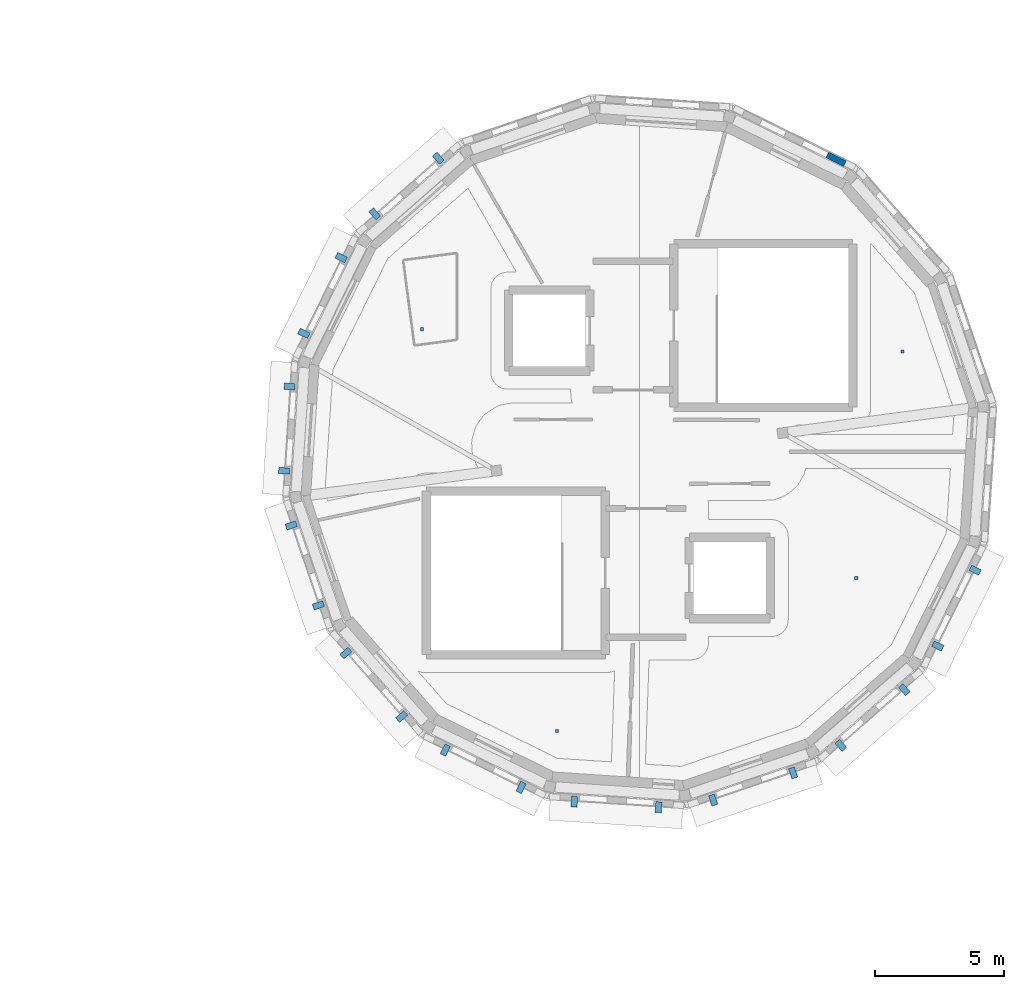
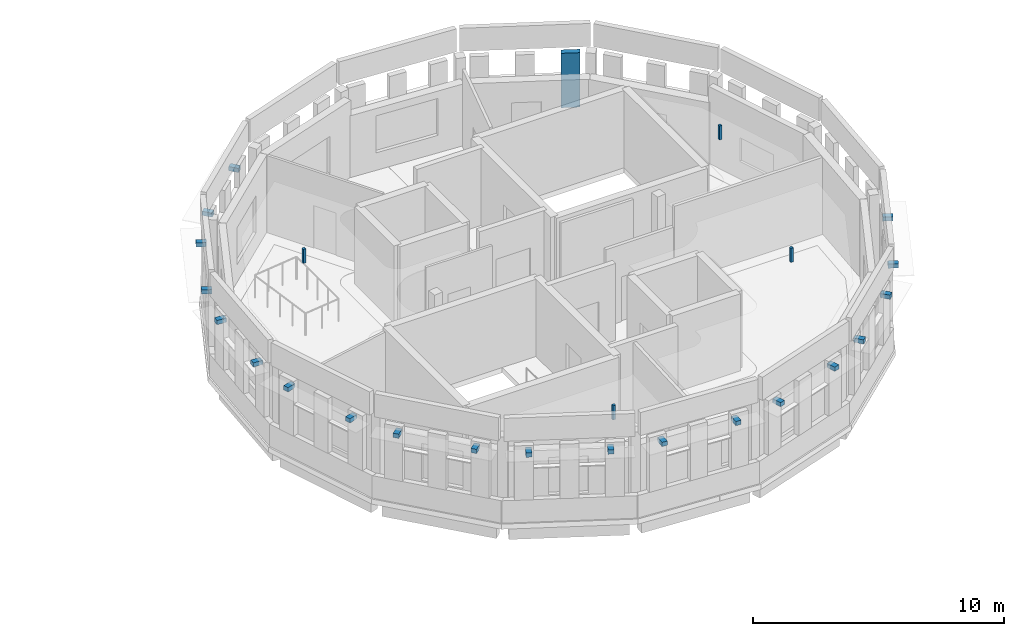
# One storey, part 16 of 18: 24 discrete accessories, 1 wall.
"""IFC4 building model written with IfcOpenShell, lengths in metres."""

from ifc_helpers import new_model, si_unit, direction, frame, frame_2d, origin, origin_2d, place, context, subcontext, project, spatial, rectangle, extrude, material, layer, layer_set, type_object, element, save


model = new_model("IFC4")

# Units and contexts
model_context = context("Model", 3, precision=1e-05, world=origin(), true_north=direction((0.0, 1.0)))
body_context = subcontext(model_context, "Body", "Model", "MODEL_VIEW")
ifc_project = project(units=[si_unit("LENGTHUNIT", "METRE"), si_unit("AREAUNIT", "SQUARE_METRE"), si_unit("VOLUMEUNIT", "CUBIC_METRE"), si_unit("PLANEANGLEUNIT", "RADIAN"), si_unit("MASSUNIT", "GRAM", prefix="KILO")], contexts=[model_context])

# Site, building, storey
site_placement = place(None, origin())
site = spatial("IfcSite", under=ifc_project, at=site_placement, CompositionType="ELEMENT")
building_placement = place(site_placement, origin())
building = spatial("IfcBuilding", under=site, at=building_placement, Name="Wrenclough Park School", CompositionType="ELEMENT")
storey_placement = place(building_placement, frame((0.0, 0.0, 20.800048828125)))
storey = spatial("IfcBuildingStorey", under=building, at=storey_placement, Name="L05", CompositionType="ELEMENT", Elevation=20.800048828125)

# Wall
ifc_material_1 = material(Name="Perforated open-bond Staffordshire and Manchester brick screen pier", Category="masonry")
ifc_layer = layer(ifc_material_1, 0.2451171875)
ifc_layer_set = layer_set([ifc_layer], Name="Perforated open-bond Staffordshire and Manchester brick screen pier")
wall_type = type_object("IfcWallType", Name="ENV-BS-PR245", PredefinedType="ELEMENTEDWALL", material=ifc_layer_set)
wall_placement = place(storey_placement, frame((182.46728515625, 104.68017578125, 1.08984375), z_axis=(0.0, 0.0, 1.0), x_axis=(-0.896792285629, 0.442451801258, 0.0)))
element("IfcWall", 1, at=wall_placement, inside=storey, type_object=wall_type, Name="D5 L05 perforated brick screen pier 1011", PredefinedType="ELEMENTEDWALL", context=body_context, shape_type="SweptSolid", body=[
    extrude(rectangle(XDim=0.759765625, YDim=0.2451171875, at=frame_2d((0.3798828125, 0.0))), origin(), (0.0, 0.0, 1.0), 2.650146484375),
])

# Discrete accessories
ifc_material_2 = material(Name="Austenitic stainless steel Grade 1.4401", Category="steel")
discrete_accessory_type_1 = type_object("IfcDiscreteAccessoryType", Name="ENV-BRK-01", PredefinedType="BRACKET", material=ifc_material_2)
for number, where, z_axis, x_axis, name in (
    (2, (166.69189453125, 104.88916015625, 3.33984375), (0.0, 0.0, 1.0), (-0.751835690657, -0.659350509406, 0.0), "Brise-soleil stainless outrigger bracket 0287"),
    (3, (164.227783203125, 102.72802734375, 3.33984375), (0.0, 0.0, 1.0), (-0.751835690657, -0.659350509406, 0.0), "Brise-soleil stainless outrigger bracket 0288"),
    (4, (162.927734375, 101.033935546875, 3.33984375), (0.0, 0.0, 1.0), (-0.442300754444, -0.896866792014, 0.0), "Brise-soleil stainless outrigger bracket 0289"),
    (5, (161.47802734375, 98.094482421875, 3.33984375), (0.0, 0.0, 1.0), (-0.442300754444, -0.896866792014, 0.0), "Brise-soleil stainless outrigger bracket 0290"),
    (6, (160.925537109375, 96.031982421875, 3.33984375), (0.0, 0.0, 1.0), (-0.065390212583, -0.997859769756, 0.0), "Brise-soleil stainless outrigger bracket 0291"),
    (7, (160.711181640625, 92.761474609375, 3.33984375), (0.0, 0.0, 1.0), (-0.065390212583, -0.997859769756, 0.0), "Brise-soleil stainless outrigger bracket 0292"),
    (8, (160.989990234375, 90.64453125, 3.33984375), (0.0, 0.0, 1.0), (0.321429435697, -0.946933534028, 0.0), "Brise-soleil stainless outrigger bracket 0293"),
    (9, (162.043212890625, 87.541015625, 3.33984375), (0.0, 0.0, 1.0), (0.321429435697, -0.946933534028, 0.0), "Brise-soleil stainless outrigger bracket 0294"),
    (10, (163.11083984375, 85.69189453125, 3.33984375), (0.0, 0.0, 1.0), (0.659350509406, -0.751835690657, 0.0), "Brise-soleil stainless outrigger bracket 0295"),
    (11, (165.27197265625, 83.227783203125, 3.33984375), (0.0, 0.0, 1.0), (0.659350509406, -0.751835690657, 0.0), "Brise-soleil stainless outrigger bracket 0296"),
    (12, (166.966064453125, 81.927734375, 3.33984375), (0.0, 0.0, 1.0), (0.896866792014, -0.442300754444, 0.0), "Brise-soleil stainless outrigger bracket 0297"),
    (13, (169.905517578125, 80.47802734375, 3.33984375), (0.0, 0.0, 1.0), (0.896866792014, -0.442300754444, 0.0), "Brise-soleil stainless outrigger bracket 0298"),
    (14, (171.968017578125, 79.925537109375, 3.33984375), (0.0, 0.0, 1.0), (0.997859769756, -0.065390212583, 0.0), "Brise-soleil stainless outrigger bracket 0299"),
    (15, (175.238525390625, 79.711181640625, 3.33984375), (0.0, 0.0, 1.0), (0.997859769756, -0.065390212583, 0.0), "Brise-soleil stainless outrigger bracket 0300"),
    (16, (177.35546875, 79.989990234375, 3.33984375), (0.0, 0.0, 1.0), (0.946933534028, 0.321429435697, 0.0), "Brise-soleil stainless outrigger bracket 0301"),
    (17, (180.458984375, 81.043212890625, 3.33984375), (0.0, 0.0, 1.0), (0.946933534028, 0.321429435697, 0.0), "Brise-soleil stainless outrigger bracket 0302"),
    (18, (182.30810546875, 82.11083984375, 3.33984375), (0.0, 0.0, 1.0), (0.751835690657, 0.659350509406, 0.0), "Brise-soleil stainless outrigger bracket 0303"),
    (19, (184.772216796875, 84.27197265625, 3.33984375), (0.0, 0.0, 1.0), (0.751835690657, 0.659350509406, 0.0), "Brise-soleil stainless outrigger bracket 0304"),
    (20, (186.072265625, 85.966064453125, 3.33984375), (0.0, 0.0, 1.0), (0.442300754444, 0.896866792014, 0.0), "Brise-soleil stainless outrigger bracket 0305"),
    (21, (187.52197265625, 88.905517578125, 3.33984375), (0.0, 0.0, 1.0), (0.442300754444, 0.896866792014, 0.0), "Brise-soleil stainless outrigger bracket 0306"),
):
    element("IfcDiscreteAccessory", number, at=place(storey_placement, frame(where, z_axis=z_axis, x_axis=x_axis)), inside=storey, type_object=discrete_accessory_type_1, Name=name, PredefinedType="BRACKET", context=body_context, shape_type="SweptSolid", body=[
        extrude(rectangle(XDim=0.239990234375, YDim=0.419921875, at=origin_2d()), origin(), (0.0, 0.0, 1.0), 0.199951171875),
    ])
ifc_material_3 = material(Name="Galvanised steel acoustic ceiling suspension hanger", Category="steel")
discrete_accessory_type_2 = type_object("IfcDiscreteAccessoryType", Name="INT-BRK-HGR", PredefinedType="BRACKET", material=ifc_material_3)
for number, where, z_axis, x_axis, name in (
    (22, (166.054443359375, 98.25341796875, 3.090087890625), (0.0, 0.0, 1.0), (1.0, 0.0, 0.0), "Acoustic ceiling hanger bracket 0091"),
    (23, (182.909423828125, 88.60009765625, 3.090087890625), (0.0, 0.0, 1.0), (1.0, 0.0, 0.0), "Acoustic ceiling hanger bracket 0092"),
    (24, (171.304931640625, 82.668701171875, 3.090087890625), (0.0, 0.0, 1.0), (1.0, 0.0, 0.0), "Acoustic ceiling hanger bracket 0093"),
    (25, (184.701171875, 97.386474609375, 3.090087890625), (0.0, 0.0, 1.0), (1.0, 0.0, 0.0), "Acoustic ceiling hanger bracket 0094"),
):
    element("IfcDiscreteAccessory", number, at=place(storey_placement, frame(where, z_axis=z_axis, x_axis=x_axis)), inside=storey, type_object=discrete_accessory_type_2, Name=name, PredefinedType="BRACKET", context=body_context, shape_type="SweptSolid", body=[
        extrude(rectangle(XDim=0.1201171875, YDim=0.1201171875, at=origin_2d()), origin(), (0.0, 0.0, 1.0), 0.68994140625),
    ])

save(model, "model.ifc")
